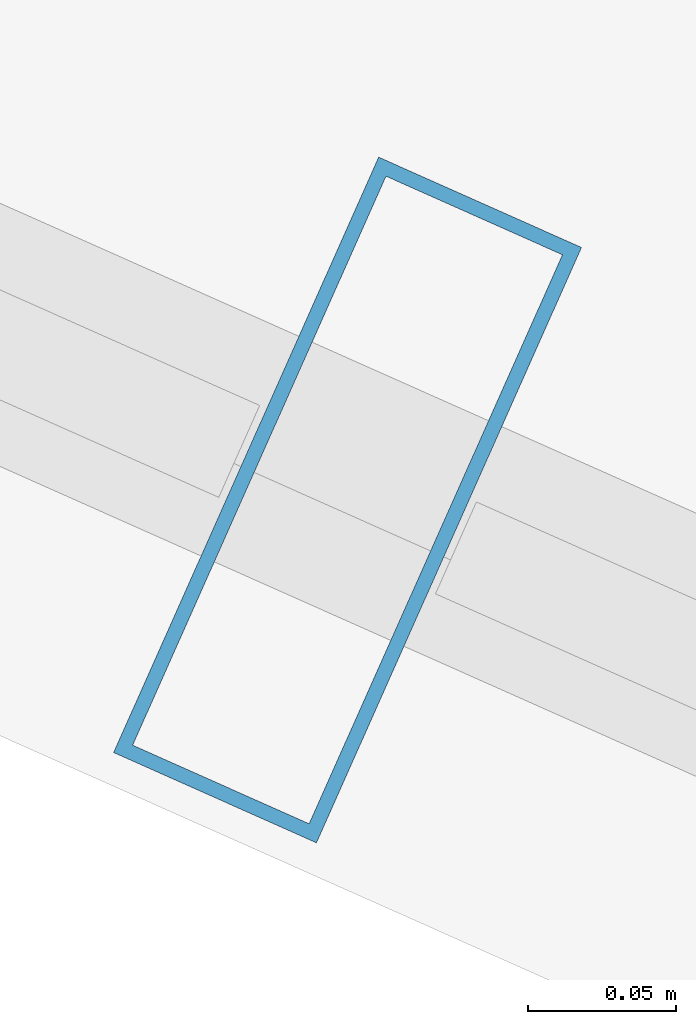
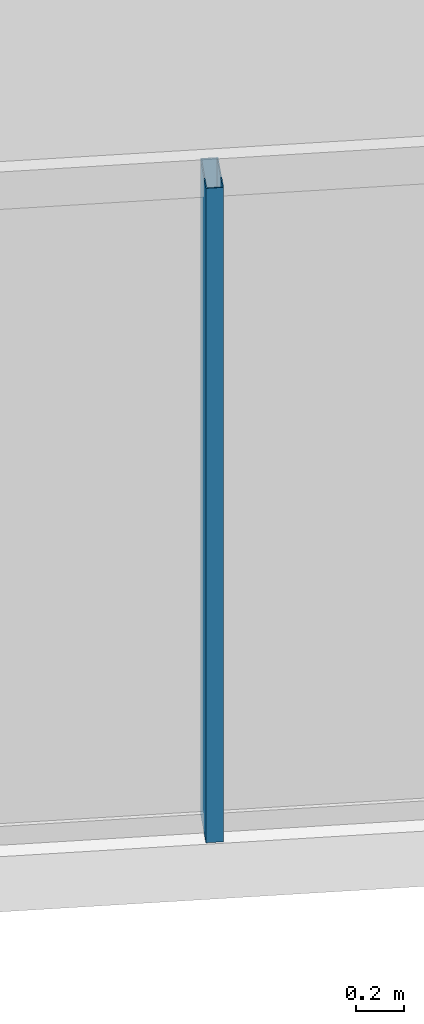
# One storey, part 2 of 20: 1 member, 1 element without a shape of its own.
"""IFC4 building model written with IfcOpenShell, lengths in metres."""

from ifc_helpers import new_model, si_unit, direction, frame, origin, origin_2d, place, context, subcontext, project, spatial, hollow_rectangle, extrude, material, layer, layer_set, material_profile, profile_set, type_object, element, aggregate, save


model = new_model("IFC4")

# Units and contexts
model_context = context("Model", 3, precision=1e-05, world=origin(), true_north=direction((0.0, 1.0)))
body_context = subcontext(model_context, "Body", "Model", "MODEL_VIEW")
ifc_project = project(units=[si_unit("LENGTHUNIT", "METRE"), si_unit("AREAUNIT", "SQUARE_METRE"), si_unit("VOLUMEUNIT", "CUBIC_METRE"), si_unit("PLANEANGLEUNIT", "RADIAN"), si_unit("MASSUNIT", "GRAM", prefix="KILO")], contexts=[model_context])

# Site, building, storey
site_placement = place(None, origin())
site = spatial("IfcSite", under=ifc_project, at=site_placement, CompositionType="ELEMENT")
building_placement = place(site_placement, origin())
building = spatial("IfcBuilding", under=site, at=building_placement, Name="Qarnah Convention Tower", CompositionType="ELEMENT")
storey_placement = place(building_placement, frame((0.0, 0.0, 202.199951171875)))
storey = spatial("IfcBuildingStorey", under=building, at=storey_placement, Name="L54", CompositionType="ELEMENT", Elevation=202.199951171875)

# Curtain wall, member
ifc_material_1 = material(Name="Tempered Low-E dark glass", Category="glass")
ifc_layer = layer(ifc_material_1, 0.174072265625)
ifc_layer_set = layer_set([ifc_layer], Name="Tempered Low-E dark glass")
curtain_wall_type = type_object("IfcCurtainWallType", Name="CWS-04", PredefinedType="NOTDEFINED", material=ifc_layer_set)
curtain_wall_placement = place(storey_placement, origin())
curtain_wall = element("IfcCurtainWall", 1, at=curtain_wall_placement, inside=storey, type_object=curtain_wall_type, Name="L54 unitised curtain wall CW-L54-F1", PredefinedType="NOTDEFINED")
ifc_material_2 = material(Name="Black anodised aluminium", Category="aluminium")
ifc_material_profile = material_profile(ifc_material_2, hollow_rectangle(XDim=0.074951171875, YDim=0.219970703125, WallThickness=0.0048828125, at=origin_2d()), Name="MUL-75X220")
ifc_profile_set = profile_set([ifc_material_profile], Name="Black anodised aluminium")
member_type = type_object("IfcMemberType", Name="MUL-T4", PredefinedType="MULLION", material=ifc_profile_set)
member_placement = place(storey_placement, frame((28.175048828125, 13.0107421875, 0.0), z_axis=(0.0, 0.0, 1.0), x_axis=(-0.913550057667, 0.406726311094, 0.0)))
member = element("IfcMember", 2, at=member_placement, type_object=member_type, Name="CW-L54-F1 mullion 4", PredefinedType="MULLION", context=body_context, shape_type="SweptSolid", body=[
    extrude(hollow_rectangle(XDim=0.074951171875, YDim=0.219970703125, WallThickness=0.0048828125, at=origin_2d()), origin(), (0.0, 0.0, 1.0), 3.320068359375),
])
aggregate(curtain_wall, [member])

save(model, "model.ifc")
